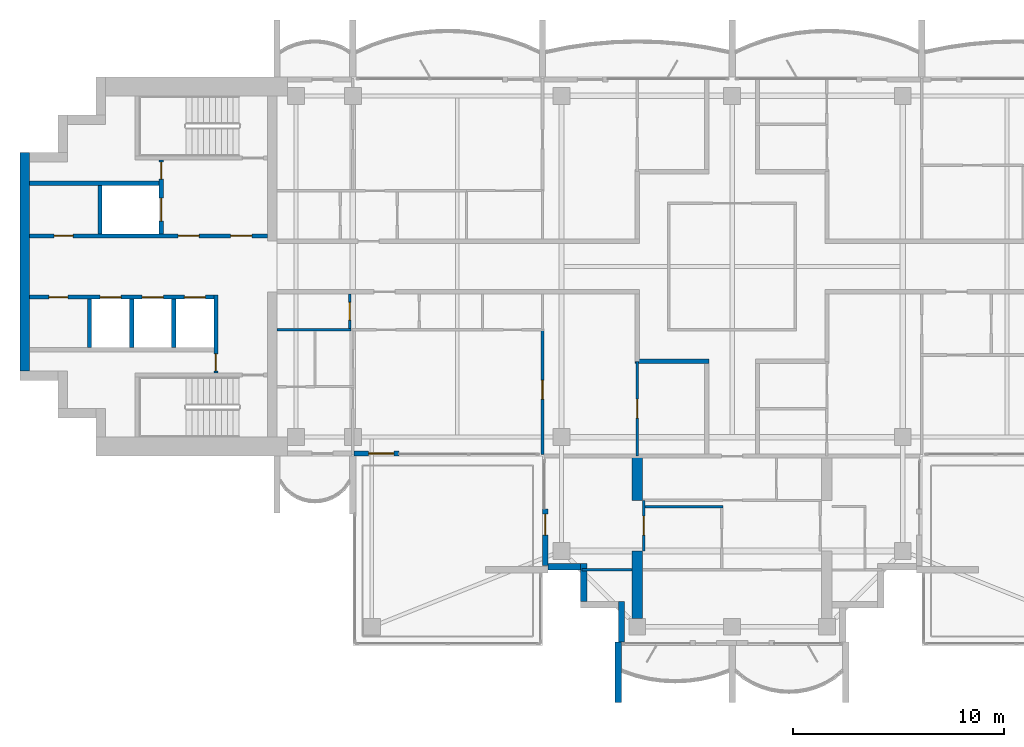
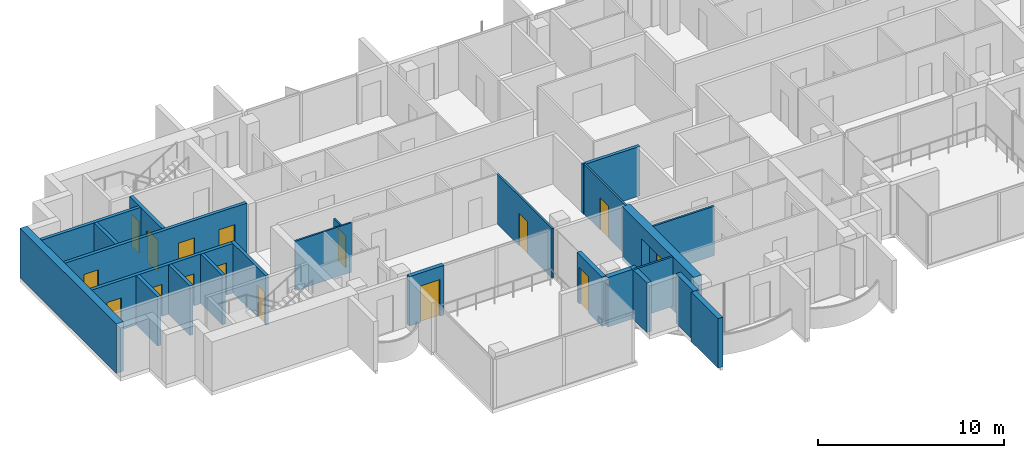
# One storey, part 7 of 16: 25 walls, 16 doors, 16 openings.
"""IFC4 building model written with IfcOpenShell, lengths in metres."""

from ifc_helpers import new_model, si_unit, direction, frame, frame_2d, origin, place, context, subcontext, project, spatial, polyline, rectangle, outline, extrude, material, layer, layer_set, material_profile, profile_set, type_object, element, fill, save


model = new_model("IFC4")

# Units and contexts
model_context = context("Model", 3, precision=1e-05, world=origin(), true_north=direction((0.0, 1.0)))
body_context = subcontext(model_context, "Body", "Model", "MODEL_VIEW")
ifc_project = project(units=[si_unit("LENGTHUNIT", "METRE"), si_unit("AREAUNIT", "SQUARE_METRE"), si_unit("VOLUMEUNIT", "CUBIC_METRE"), si_unit("PLANEANGLEUNIT", "RADIAN"), si_unit("MASSUNIT", "GRAM", prefix="KILO")], contexts=[model_context])

# Site, building, storey
site_placement = place(None, origin())
site = spatial("IfcSite", under=ifc_project, at=site_placement, CompositionType="ELEMENT")
building_placement = place(site_placement, origin())
building = spatial("IfcBuilding", under=site, at=building_placement, Name="Perihelion Cross Residences", CompositionType="ELEMENT")
storey_placement = place(building_placement, frame((0.0, 0.0, 267.5)))
storey = spatial("IfcBuildingStorey", under=building, at=storey_placement, Name="L68", CompositionType="ELEMENT", Elevation=267.5)

# Wall
ifc_material_1 = material(Name="Plasterboard partition")
ifc_layer_1 = layer(ifc_material_1, 0.199951171875)
ifc_layer_set_1 = layer_set([ifc_layer_1], Name="Apartment separation wall 200")
wall_type_1 = type_object("IfcWallType", Name="Apartment separation wall 200", PredefinedType="PARTITIONING", material=ifc_layer_set_1)
wall_1_placement = place(storey_placement, frame((-1.10009765625, -4.5, 0.0), z_axis=(0.0, 0.0, 1.0), x_axis=(-1.0, 0.0, 0.0)))
element("IfcWall", 1, at=wall_1_placement, inside=storey, type_object=wall_type_1, Name="Partition L68 W020", PredefinedType="PARTITIONING", context=body_context, shape_type="SweptSolid", body=[
    extrude(rectangle(XDim=3.5, YDim=0.199951171875, at=frame_2d((1.75, 0.0))), origin(), (0.0, 0.0, 1.0), 3.25),
])

# Wall, opening, door
ifc_material_2 = material(Name="Concrete C30/37, bronze-clad", Category="concrete")
ifc_layer_2 = layer(ifc_material_2, 0.25)
ifc_layer_set_2 = layer_set([ifc_layer_2], Name="Bronze-clad pier wall 250")
wall_type_2 = type_object("IfcWallType", Name="Bronze-clad pier wall 250", PredefinedType="SOLIDWALL", material=ifc_layer_set_2)
wall_2_placement = place(storey_placement, frame((-17.93994140625, -8.875, 0.0), z_axis=(0.0, 0.0, 1.0), x_axis=(1.0, 0.0, 0.0)))
wall_2 = element("IfcWall", 2, at=wall_2_placement, inside=storey, type_object=wall_type_2, Name="Wall FW1 L68 west side south bay 2 pier", PredefinedType="SOLIDWALL", context=body_context, shape_type="SweptSolid", body=[
    extrude(rectangle(XDim=2.139892578125, YDim=0.25, at=frame_2d((1.06982421875, 0.0))), origin(), (0.0, 0.0, 1.0), 3.25),
])
opening_1_placement = place(wall_2_placement, frame((0.68994140625, 0.0, 0.0)))
opening_1 = element("IfcOpeningElement", 3, at=opening_1_placement, cuts=wall_2, Name="Opening L68.E08", PredefinedType="OPENING", context=body_context, shape_type="SweptSolid", body=[
    extrude(rectangle(XDim=1.199951171875, YDim=2.39990234375, at=frame_2d((0.60009765625, 1.199951171875))), frame((0.0, 0.135009765625, 0.0), z_axis=(0.0, -1.0, 0.0), x_axis=(1.0, 0.0, 0.0)), (0.0, 0.0, 1.0), 0.27001953125),
])
ifc_material_3 = material(Name="Bronze anodised aluminium, glazed", Category="aluminium")
door_type_1 = type_object("IfcDoorType", Name="Balcony door 1200 x 2400", OperationType="NOTDEFINED", PredefinedType="DOOR", material=ifc_material_3)
door_1_placement = place(opening_1_placement, origin())
door_1 = element("IfcDoor", 4, at=door_1_placement, inside=storey, type_object=door_type_1, Name="Door L68.E08 west side south bay 2", OperationType="SINGLE_SWING_RIGHT", OverallHeight=2.39990234375, OverallWidth=1.199951171875, PredefinedType="DOOR", context=body_context, shape_type="SweptSolid", body=[
    extrude(rectangle(XDim=1.199951171875, YDim=2.39990234375, at=frame_2d((0.60009765625, 1.199951171875))), frame((0.0, 0.02490234375, 0.0), z_axis=(0.0, -1.0, 0.0), x_axis=(1.0, 0.0, 0.0)), (0.0, 0.0, 1.0), 0.050048828125),
])
fill(opening_1, door_1)

wall_3_placement = place(storey_placement, frame((-8.875, -11.5, 0.0), z_axis=(0.0, 0.0, 1.0), x_axis=(0.0, -1.0, 0.0)))
wall_3 = element("IfcWall", 5, at=wall_3_placement, inside=storey, type_object=wall_type_2, Name="Wall FW1 L68 south side west bay 1 pier", PredefinedType="SOLIDWALL", context=body_context, shape_type="SweptSolid", body=[
    extrude(rectangle(XDim=2.699951171875, YDim=0.25, at=frame_2d((1.35009765625, 0.0))), origin(), (0.0, 0.0, 1.0), 3.25),
])
opening_2_placement = place(wall_3_placement, frame((0.25, 0.0, 0.0)))
opening_2 = element("IfcOpeningElement", 6, at=opening_2_placement, cuts=wall_3, Name="Opening L68.E09", PredefinedType="OPENING", context=body_context, shape_type="SweptSolid", body=[
    extrude(rectangle(XDim=1.0, YDim=2.39990234375, at=frame_2d((0.5, 1.199951171875))), frame((0.0, 0.135009765625, 0.0), z_axis=(0.0, -1.0, 0.0), x_axis=(1.0, 0.0, 0.0)), (0.0, 0.0, 1.0), 0.27001953125),
])
ifc_material_4 = material(Name="Bronze anodised aluminium, glazed", Category="aluminium")
door_type_2 = type_object("IfcDoorType", Name="Balcony door 1000 x 2400", OperationType="NOTDEFINED", PredefinedType="DOOR", material=ifc_material_4)
door_2_placement = place(opening_2_placement, origin())
door_2 = element("IfcDoor", 7, at=door_2_placement, inside=storey, type_object=door_type_2, Name="Door L68.E09 south side west bay 1", OperationType="SINGLE_SWING_LEFT", OverallHeight=2.39990234375, OverallWidth=1.0, PredefinedType="DOOR", context=body_context, shape_type="SweptSolid", body=[
    extrude(rectangle(XDim=1.0, YDim=2.39990234375, at=frame_2d((0.5, 1.199951171875))), frame((0.0, 0.02490234375, 0.0), z_axis=(0.0, -1.0, 0.0), x_axis=(1.0, 0.0, 0.0)), (0.0, 0.0, 1.0), 0.050048828125),
])
fill(opening_2, door_2)

# Walls
ifc_material_5 = material(Name="Concrete C30/37, bronze-clad", Category="concrete")
ifc_layer_3 = layer(ifc_material_5, 0.300048828125)
ifc_layer_set_3 = layer_set([ifc_layer_3], Name="Bronze-clad serration wall 300")
wall_type_3 = type_object("IfcWallType", Name="Bronze-clad serration wall 300", PredefinedType="SOLIDWALL", material=ifc_layer_set_3)
wall_4_placement = place(storey_placement, frame((-8.75, -14.25, 0.0), z_axis=(0.0, 0.0, 1.0), x_axis=(1.0, 0.0, 0.0)))
element("IfcWall", 8, at=wall_4_placement, inside=storey, type_object=wall_type_3, Name="Wall SR1 L68 south corner south-west 1", PredefinedType="SOLIDWALL", context=body_context, shape_type="SweptSolid", body=[
    extrude(rectangle(XDim=1.550048828125, YDim=0.300048828125, at=frame_2d((0.77490234375, 0.0))), origin(), (0.0, 0.0, 1.0), 3.25),
])
wall_5_placement = place(storey_placement, frame((-7.050048828125, -14.10009765625, 0.0), z_axis=(0.0, 0.0, 1.0), x_axis=(0.0, -1.0, 0.0)))
element("IfcWall", 9, at=wall_5_placement, inside=storey, type_object=wall_type_3, Name="Wall SR1 L68 south corner south-west 2", PredefinedType="SOLIDWALL", context=body_context, shape_type="SweptSolid", body=[
    extrude(rectangle(XDim=1.7998046875, YDim=0.300048828125, at=frame_2d((0.89990234375, 0.0))), origin(), (0.0, 0.0, 1.0), 3.25),
])
wall_6_placement = place(storey_placement, frame((-5.25, -15.89990234375, 0.0), z_axis=(0.0, 0.0, 1.0), x_axis=(0.0, -1.0, 0.0)))
element("IfcWall", 10, at=wall_6_placement, inside=storey, type_object=wall_type_3, Name="Wall SR1 L68 south corner south-west 4", PredefinedType="SOLIDWALL", context=body_context, shape_type="SweptSolid", body=[
    extrude(rectangle(XDim=1.920166015625, YDim=0.300048828125, at=frame_2d((0.9599609375, 0.0))), origin(), (0.0, 0.0, 1.0), 3.25),
])
ifc_material_6 = material(Name="Concrete C60/75", Category="concrete")
ifc_layer_4 = layer(ifc_material_6, 0.449951171875)
ifc_layer_set_4 = layer_set([ifc_layer_4], Name="Core wall, outer 450")
wall_type_4 = type_object("IfcWallType", Name="Core wall, outer 450", PredefinedType="SHEAR", material=ifc_layer_set_4)
wall_7_placement = place(storey_placement, frame((-33.574951171875, -4.949951171875, 0.0), z_axis=(0.0, 0.0, 1.0), x_axis=(0.0, 1.0, 0.0)))
element("IfcWall", 11, at=wall_7_placement, inside=storey, type_object=wall_type_4, Name="West core core wall, outer", PredefinedType="SHEAR", context=body_context, shape_type="SweptSolid", body=[
    extrude(rectangle(XDim=10.349853515625, YDim=0.449951171875, at=frame_2d((5.1748046875, 0.0))), origin(), (0.0, 0.0, 1.0), 3.25),
])

# Wall, opening, door
ifc_material_7 = material(Name="Plasterboard partition")
ifc_layer_5 = layer(ifc_material_7, 0.1201171875)
ifc_layer_set_5 = layer_set([ifc_layer_5], Name="Infill panel 120")
wall_type_5 = type_object("IfcWallType", Name="Infill panel 120", PredefinedType="PARTITIONING", material=ifc_layer_set_5)
wall_8_placement = place(storey_placement, frame((-4.18994140625, -11.10009765625, 0.0), z_axis=(0.0, 0.0, 1.0), x_axis=(0.0, -1.0, 0.0)))
wall_8 = element("IfcWall", 12, at=wall_8_placement, inside=storey, type_object=wall_type_5, Name="Partition L68 WI02", PredefinedType="PARTITIONING", context=body_context, shape_type="SweptSolid", body=[
    extrude(rectangle(XDim=2.39990234375, YDim=0.1201171875, at=frame_2d((1.199951171875, 0.0))), origin(), (0.0, 0.0, 1.0), 2.39990234375),
])
opening_3_placement = place(wall_8_placement, frame((0.75, 0.0, 0.0)))
opening_3 = element("IfcOpeningElement", 13, at=opening_3_placement, cuts=wall_8, Name="Opening L68.A45", PredefinedType="OPENING", context=body_context, shape_type="SweptSolid", body=[
    extrude(rectangle(XDim=0.89990234375, YDim=2.10009765625, at=frame_2d((0.449951171875, 1.050048828125))), frame((0.0, 0.070068359375, 0.0), z_axis=(0.0, -1.0, 0.0), x_axis=(1.0, 0.0, 0.0)), (0.0, 0.0, 1.0), 0.14013671875),
])
ifc_material_8 = material(Name="Timber door leaf", Category="wood")
door_type_3 = type_object("IfcDoorType", Name="Interior room door 900 x 2100", OperationType="SINGLE_SWING_LEFT", PredefinedType="DOOR", material=ifc_material_8)
door_3_placement = place(opening_3_placement, origin())
door_3 = element("IfcDoor", 14, at=door_3_placement, inside=storey, type_object=door_type_3, Name="Door L68.A45", OperationType="SINGLE_SWING_LEFT", OverallHeight=2.10009765625, OverallWidth=0.89990234375, PredefinedType="DOOR", context=body_context, shape_type="SweptSolid", body=[
    extrude(rectangle(XDim=0.89990234375, YDim=2.10009765625, at=frame_2d((0.449951171875, 1.050048828125))), frame((0.0, 0.02490234375, 0.0), z_axis=(0.0, -1.0, 0.0), x_axis=(1.0, 0.0, 0.0)), (0.0, 0.0, 1.0), 0.050048828125),
])
fill(opening_3, door_3)

ifc_material_9 = material(Name="Concrete C50/60", Category="concrete")
ifc_layer_6 = layer(ifc_material_9, 0.199951171875)
ifc_layer_set_6 = layer_set([ifc_layer_6], Name="Lobby wall 200")
wall_type_6 = type_object("IfcWallType", Name="Lobby wall 200", PredefinedType="SOLIDWALL", material=ifc_layer_set_6)
wall_9_placement = place(storey_placement, frame((-24.5, -5.050048828125, 0.0), z_axis=(0.0, 0.0, 1.0), x_axis=(0.0, 1.0, 0.0)))
wall_9 = element("IfcWall", 15, at=wall_9_placement, inside=storey, type_object=wall_type_6, Name="West core lobby wall", PredefinedType="SOLIDWALL", context=body_context, shape_type="SweptSolid", body=[
    extrude(rectangle(XDim=3.699951171875, YDim=0.199951171875, at=frame_2d((1.85009765625, 0.0))), origin(), (0.0, 0.0, 1.0), 3.25),
])
opening_4_placement = place(wall_9_placement, frame((0.10009765625, 0.0, 0.0)))
opening_4 = element("IfcOpeningElement", 16, at=opening_4_placement, cuts=wall_9, Name="Opening L68.C20", PredefinedType="OPENING", context=body_context, shape_type="SweptSolid", body=[
    extrude(rectangle(XDim=0.800048828125, YDim=2.10009765625, at=frame_2d((0.39990234375, 1.050048828125))), frame((0.0, 0.10986328125, 0.0), z_axis=(0.0, -1.0, 0.0), x_axis=(1.0, 0.0, 0.0)), (0.0, 0.0, 1.0), 0.219970703125),
])
ifc_material_10 = material(Name="Steel, powder coated", Category="steel")
door_type_4 = type_object("IfcDoorType", Name="Riser door 800", OperationType="SINGLE_SWING_LEFT", PredefinedType="DOOR", material=ifc_material_10)
door_4_placement = place(opening_4_placement, origin())
door_4 = element("IfcDoor", 17, at=door_4_placement, inside=storey, type_object=door_type_4, Name="West core riser door", OperationType="SINGLE_SWING_LEFT", OverallHeight=2.10009765625, OverallWidth=0.800048828125, PredefinedType="DOOR", context=body_context, shape_type="SweptSolid", body=[
    extrude(rectangle(XDim=0.800048828125, YDim=2.10009765625, at=frame_2d((0.39990234375, 1.050048828125))), frame((0.0, 0.02490234375, 0.0), z_axis=(0.0, -1.0, 0.0), x_axis=(1.0, 0.0, 0.0)), (0.0, 0.0, 1.0), 0.050048828125),
])
fill(opening_4, door_4)

ifc_material_11 = material(Name="Plasterboard partition")
ifc_layer_7 = layer(ifc_material_11, 0.1201171875)
ifc_layer_set_7 = layer_set([ifc_layer_7], Name="Partition wall 120")
wall_type_7 = type_object("IfcWallType", Name="Partition wall 120", PredefinedType="PARTITIONING", material=ifc_layer_set_7)
wall_10_placement = place(storey_placement, frame((-9.0, -3.0, 0.0), z_axis=(0.0, 0.0, 1.0), x_axis=(0.0, -1.0, 0.0)))
wall_10 = element("IfcWall", 18, at=wall_10_placement, inside=storey, type_object=wall_type_7, Name="Partition L68 W062", PredefinedType="PARTITIONING", context=body_context, shape_type="SweptSolid", body=[
    extrude(rectangle(XDim=5.919921875, YDim=0.1201171875, at=frame_2d((2.9599609375, 0.0))), origin(), (0.0, 0.0, 1.0), 3.25),
])
opening_5_placement = place(wall_10_placement, frame((2.39990234375, 0.0, 0.0)))
opening_5 = element("IfcOpeningElement", 19, at=opening_5_placement, cuts=wall_10, Name="Opening L68.A32", PredefinedType="OPENING", context=body_context, shape_type="SweptSolid", body=[
    extrude(rectangle(XDim=0.89990234375, YDim=2.10009765625, at=frame_2d((0.449951171875, 1.050048828125))), frame((0.0, 0.070068359375, 0.0), z_axis=(0.0, -1.0, 0.0), x_axis=(1.0, 0.0, 0.0)), (0.0, 0.0, 1.0), 0.14013671875),
])
door_5_placement = place(opening_5_placement, origin())
door_5 = element("IfcDoor", 20, at=door_5_placement, inside=storey, type_object=door_type_3, Name="Door L68.A32", OperationType="SINGLE_SWING_RIGHT", OverallHeight=2.10009765625, OverallWidth=0.89990234375, PredefinedType="DOOR", context=body_context, shape_type="SweptSolid", body=[
    extrude(rectangle(XDim=0.89990234375, YDim=2.10009765625, at=frame_2d((0.449951171875, 1.050048828125))), frame((0.0, 0.02490234375, 0.0), z_axis=(0.0, -1.0, 0.0), x_axis=(1.0, 0.0, 0.0)), (0.0, 0.0, 1.0), 0.050048828125),
])
fill(opening_5, door_5)

wall_11_placement = place(storey_placement, frame((-4.5, -4.5, 0.0), z_axis=(0.0, 0.0, 1.0), x_axis=(0.0, -1.0, 0.0)))
wall_11 = element("IfcWall", 21, at=wall_11_placement, inside=storey, type_object=wall_type_7, Name="Partition L68 W066", PredefinedType="PARTITIONING", context=body_context, shape_type="SweptSolid", body=[
    extrude(rectangle(XDim=4.5, YDim=0.1201171875, at=frame_2d((2.25, 0.0))), origin(), (0.0, 0.0, 1.0), 3.25),
])
opening_6_placement = place(wall_11_placement, frame((1.800048828125, 0.0, 0.0)))
opening_6 = element("IfcOpeningElement", 22, at=opening_6_placement, cuts=wall_11, Name="Opening L68.A28", PredefinedType="OPENING", context=body_context, shape_type="SweptSolid", body=[
    extrude(rectangle(XDim=0.89990234375, YDim=2.10009765625, at=frame_2d((0.449951171875, 1.050048828125))), frame((0.0, 0.070068359375, 0.0), z_axis=(0.0, -1.0, 0.0), x_axis=(1.0, 0.0, 0.0)), (0.0, 0.0, 1.0), 0.14013671875),
])
door_6_placement = place(opening_6_placement, origin())
door_6 = element("IfcDoor", 23, at=door_6_placement, inside=storey, type_object=door_type_3, Name="Door L68.A28", OperationType="SINGLE_SWING_RIGHT", OverallHeight=2.10009765625, OverallWidth=0.89990234375, PredefinedType="DOOR", context=body_context, shape_type="SweptSolid", body=[
    extrude(rectangle(XDim=0.89990234375, YDim=2.10009765625, at=frame_2d((0.449951171875, 1.050048828125))), frame((0.0, 0.02490234375, 0.0), z_axis=(0.0, -1.0, 0.0), x_axis=(1.0, 0.0, 0.0)), (0.0, 0.0, 1.0), 0.050048828125),
])
fill(opening_6, door_6)

# Walls
wall_12_placement = place(storey_placement, frame((-0.43994140625, -11.39990234375, 0.0), z_axis=(0.0, 0.0, 1.0), x_axis=(-1.0, 0.0, 0.0)))
element("IfcWall", 24, at=wall_12_placement, inside=storey, type_object=wall_type_7, Name="Partition L68 W071", PredefinedType="PARTITIONING", context=body_context, shape_type="SweptSolid", body=[
    extrude(rectangle(XDim=3.81005859375, YDim=0.1201171875, at=frame_2d((1.905029296875, 0.0))), origin(), (0.0, 0.0, 1.0), 3.25),
])
wall_13_placement = place(storey_placement, frame((-4.75, -14.39990234375, 0.0), z_axis=(0.0, 0.0, 1.0), x_axis=(-1.0, 0.0, 0.0)))
element("IfcWall", 25, at=wall_13_placement, inside=storey, type_object=wall_type_7, Name="Partition L68 W077", PredefinedType="PARTITIONING", context=body_context, shape_type="SweptSolid", body=[
    extrude(rectangle(XDim=2.3701171875, YDim=0.1201171875, at=frame_2d((1.18505859375, 0.0))), origin(), (0.0, 0.0, 1.0), 3.25),
])
ifc_material_12 = material(Name="Precast concrete C50/60", Category="concrete")
ifc_layer_8 = layer(ifc_material_12, 0.300048828125)
ifc_layer_set_8 = layer_set([ifc_layer_8], Name="Precast concrete C50/60 blade wall 300")
wall_type_8 = type_object("IfcWallType", Name="Precast concrete C50/60 blade wall 300", PredefinedType="SOLIDWALL", material=ifc_layer_set_8)
wall_14_placement = place(storey_placement, frame((-5.39990234375, -17.820068359375, 0.0), z_axis=(0.0, 0.0, 1.0), x_axis=(0.0, -1.0, 0.0)))
element("IfcWall", 26, at=wall_14_placement, inside=storey, type_object=wall_type_8, Name="Wall BL1 L68 no. 5", PredefinedType="SOLIDWALL", context=body_context, shape_type="SweptSolid", body=[
    extrude(rectangle(XDim=2.8798828125, YDim=0.300048828125, at=frame_2d((1.43994140625, 0.0))), origin(), (0.0, 0.0, 1.0), 3.25),
])

# Wall, openings, doors
ifc_material_13 = material(Name="Concrete C50/60", Category="concrete")
ifc_layer_9 = layer(ifc_material_13, 0.199951171875)
ifc_layer_set_9 = layer_set([ifc_layer_9], Name="Shaft wall 200")
wall_type_9 = type_object("IfcWallType", Name="Shaft wall 200", PredefinedType="SOLIDWALL", material=ifc_layer_set_9)
wall_15_placement = place(storey_placement, frame((-33.35009765625, 1.449951171875, 0.0), z_axis=(0.0, 0.0, 1.0), x_axis=(1.0, 0.0, 0.0)))
wall_15 = element("IfcWall", 27, at=wall_15_placement, inside=storey, type_object=wall_type_9, Name="West core shaft wall", PredefinedType="SOLIDWALL", context=body_context, shape_type="SweptSolid", body=[
    extrude(rectangle(XDim=11.300048828125, YDim=0.199951171875, at=frame_2d((5.64990234375, 0.0))), origin(), (0.0, 0.0, 1.0), 3.25),
])
opening_7_placement = place(wall_15_placement, frame((9.550048828125, 0.0, 0.0)))
opening_7 = element("IfcOpeningElement", 28, at=opening_7_placement, cuts=wall_15, Name="Opening L68.C19", PredefinedType="OPENING", context=body_context, shape_type="SweptSolid", body=[
    extrude(rectangle(XDim=1.0, YDim=2.10009765625, at=frame_2d((0.5, 1.050048828125))), frame((0.0, 0.10986328125, 0.0), z_axis=(0.0, -1.0, 0.0), x_axis=(1.0, 0.0, 0.0)), (0.0, 0.0, 1.0), 0.219970703125),
])
opening_8_placement = place(wall_15_placement, frame((7.050048828125, 0.0, 0.0)))
opening_8 = element("IfcOpeningElement", 29, at=opening_8_placement, cuts=wall_15, Name="Opening L68.C21", PredefinedType="OPENING", context=body_context, shape_type="SweptSolid", body=[
    extrude(rectangle(XDim=1.0, YDim=2.10009765625, at=frame_2d((0.5, 1.050048828125))), frame((0.0, 0.10986328125, 0.0), z_axis=(0.0, -1.0, 0.0), x_axis=(1.0, 0.0, 0.0)), (0.0, 0.0, 1.0), 0.219970703125),
])
opening_9_placement = place(wall_15_placement, frame((1.175048828125, 0.0, 0.0)))
opening_9 = element("IfcOpeningElement", 30, at=opening_9_placement, cuts=wall_15, Name="Opening L68.C23", PredefinedType="OPENING", context=body_context, shape_type="SweptSolid", body=[
    extrude(rectangle(XDim=0.89990234375, YDim=2.10009765625, at=frame_2d((0.449951171875, 1.050048828125))), frame((0.0, 0.10986328125, 0.0), z_axis=(0.0, -1.0, 0.0), x_axis=(1.0, 0.0, 0.0)), (0.0, 0.0, 1.0), 0.219970703125),
])
ifc_material_14 = material(Name="Steel, powder coated", Category="steel")
door_type_5 = type_object("IfcDoorType", Name="Lobby door 1000", OperationType="SINGLE_SWING_LEFT", PredefinedType="DOOR", material=ifc_material_14)
door_7_placement = place(opening_7_placement, origin())
door_7 = element("IfcDoor", 31, at=door_7_placement, inside=storey, type_object=door_type_5, Name="West core firefighting lobby door", OperationType="SINGLE_SWING_LEFT", OverallHeight=2.10009765625, OverallWidth=1.0, PredefinedType="DOOR", context=body_context, shape_type="SweptSolid", body=[
    extrude(rectangle(XDim=1.0, YDim=2.10009765625, at=frame_2d((0.5, 1.050048828125))), frame((0.0, 0.02490234375, 0.0), z_axis=(0.0, -1.0, 0.0), x_axis=(1.0, 0.0, 0.0)), (0.0, 0.0, 1.0), 0.050048828125),
])
fill(opening_7, door_7)
door_8_placement = place(opening_8_placement, origin())
door_8 = element("IfcDoor", 32, at=door_8_placement, inside=storey, type_object=door_type_5, Name="West core firefighting lobby door", OperationType="SINGLE_SWING_LEFT", OverallHeight=2.10009765625, OverallWidth=1.0, PredefinedType="DOOR", context=body_context, shape_type="SweptSolid", body=[
    extrude(rectangle(XDim=1.0, YDim=2.10009765625, at=frame_2d((0.5, 1.050048828125))), frame((0.0, 0.02490234375, 0.0), z_axis=(0.0, -1.0, 0.0), x_axis=(1.0, 0.0, 0.0)), (0.0, 0.0, 1.0), 0.050048828125),
])
fill(opening_8, door_8)
ifc_material_15 = material(Name="Steel, powder coated", Category="steel")
door_type_6 = type_object("IfcDoorType", Name="Service room door 900", OperationType="SINGLE_SWING_LEFT", PredefinedType="DOOR", material=ifc_material_15)
door_9_placement = place(opening_9_placement, origin())
door_9 = element("IfcDoor", 33, at=door_9_placement, inside=storey, type_object=door_type_6, Name="West core service room door", OperationType="SINGLE_SWING_LEFT", OverallHeight=2.10009765625, OverallWidth=0.89990234375, PredefinedType="DOOR", context=body_context, shape_type="SweptSolid", body=[
    extrude(rectangle(XDim=0.89990234375, YDim=2.10009765625, at=frame_2d((0.449951171875, 1.050048828125))), frame((0.0, 0.02490234375, 0.0), z_axis=(0.0, -1.0, 0.0), x_axis=(1.0, 0.0, 0.0)), (0.0, 0.0, 1.0), 0.050048828125),
])
fill(opening_9, door_9)

wall_16_placement = place(storey_placement, frame((-33.35009765625, -1.449951171875, 0.0), z_axis=(0.0, 0.0, 1.0), x_axis=(1.0, 0.0, 0.0)))
wall_16 = element("IfcWall", 34, at=wall_16_placement, inside=storey, type_object=wall_type_9, Name="West core shaft wall", PredefinedType="SOLIDWALL", context=body_context, shape_type="SweptSolid", body=[
    extrude(rectangle(XDim=8.75, YDim=0.199951171875, at=frame_2d((4.375, 0.0))), origin(), (0.0, 0.0, 1.0), 3.25),
])
opening_10_placement = place(wall_16_placement, frame((7.35009765625, 0.0, 0.0)))
opening_10 = element("IfcOpeningElement", 35, at=opening_10_placement, cuts=wall_16, Name="Opening L68.C13", PredefinedType="OPENING", context=body_context, shape_type="SweptSolid", body=[
    extrude(rectangle(XDim=1.0, YDim=2.10009765625, at=frame_2d((0.5, 1.050048828125))), frame((0.0, 0.10986328125, 0.0), z_axis=(0.0, -1.0, 0.0), x_axis=(1.0, 0.0, 0.0)), (0.0, 0.0, 1.0), 0.219970703125),
])
opening_11_placement = place(wall_16_placement, frame((5.35009765625, 0.0, 0.0)))
opening_11 = element("IfcOpeningElement", 36, at=opening_11_placement, cuts=wall_16, Name="Opening L68.C15", PredefinedType="OPENING", context=body_context, shape_type="SweptSolid", body=[
    extrude(rectangle(XDim=1.0, YDim=2.10009765625, at=frame_2d((0.5, 1.050048828125))), frame((0.0, 0.10986328125, 0.0), z_axis=(0.0, -1.0, 0.0), x_axis=(1.0, 0.0, 0.0)), (0.0, 0.0, 1.0), 0.219970703125),
])
opening_12_placement = place(wall_16_placement, frame((3.35009765625, 0.0, 0.0)))
opening_12 = element("IfcOpeningElement", 37, at=opening_12_placement, cuts=wall_16, Name="Opening L68.C16", PredefinedType="OPENING", context=body_context, shape_type="SweptSolid", body=[
    extrude(rectangle(XDim=1.0, YDim=2.10009765625, at=frame_2d((0.5, 1.050048828125))), frame((0.0, 0.10986328125, 0.0), z_axis=(0.0, -1.0, 0.0), x_axis=(1.0, 0.0, 0.0)), (0.0, 0.0, 1.0), 0.219970703125),
])
opening_13_placement = place(wall_16_placement, frame((0.925048828125, 0.0, 0.0)))
opening_13 = element("IfcOpeningElement", 38, at=opening_13_placement, cuts=wall_16, Name="Opening L68.C24", PredefinedType="OPENING", context=body_context, shape_type="SweptSolid", body=[
    extrude(rectangle(XDim=0.89990234375, YDim=2.10009765625, at=frame_2d((0.449951171875, 1.050048828125))), frame((0.0, 0.10986328125, 0.0), z_axis=(0.0, -1.0, 0.0), x_axis=(1.0, 0.0, 0.0)), (0.0, 0.0, 1.0), 0.219970703125),
])
ifc_material_16 = material(Name="Stainless steel", Category="steel")
door_type_7 = type_object("IfcDoorType", Name="Landing door 1000", OperationType="DOUBLE_DOOR_SLIDING", PredefinedType="DOOR", material=ifc_material_16)
door_10_placement = place(opening_10_placement, origin())
door_10 = element("IfcDoor", 39, at=door_10_placement, inside=storey, type_object=door_type_7, Name="Landing door, West core high-rise lift 1", OperationType="DOUBLE_DOOR_SLIDING", OverallHeight=2.10009765625, OverallWidth=1.0, PredefinedType="DOOR", context=body_context, shape_type="SweptSolid", body=[
    extrude(rectangle(XDim=1.0, YDim=2.10009765625, at=frame_2d((0.5, 1.050048828125))), frame((0.0, 0.02490234375, 0.0), z_axis=(0.0, -1.0, 0.0), x_axis=(1.0, 0.0, 0.0)), (0.0, 0.0, 1.0), 0.050048828125),
])
fill(opening_10, door_10)
door_11_placement = place(opening_11_placement, origin())
door_11 = element("IfcDoor", 40, at=door_11_placement, inside=storey, type_object=door_type_7, Name="Landing door, West core high-rise lift 2", OperationType="DOUBLE_DOOR_SLIDING", OverallHeight=2.10009765625, OverallWidth=1.0, PredefinedType="DOOR", context=body_context, shape_type="SweptSolid", body=[
    extrude(rectangle(XDim=1.0, YDim=2.10009765625, at=frame_2d((0.5, 1.050048828125))), frame((0.0, 0.02490234375, 0.0), z_axis=(0.0, -1.0, 0.0), x_axis=(1.0, 0.0, 0.0)), (0.0, 0.0, 1.0), 0.050048828125),
])
fill(opening_11, door_11)
door_12_placement = place(opening_12_placement, origin())
door_12 = element("IfcDoor", 41, at=door_12_placement, inside=storey, type_object=door_type_7, Name="Landing door, West core high-rise lift 3", OperationType="DOUBLE_DOOR_SLIDING", OverallHeight=2.10009765625, OverallWidth=1.0, PredefinedType="DOOR", context=body_context, shape_type="SweptSolid", body=[
    extrude(rectangle(XDim=1.0, YDim=2.10009765625, at=frame_2d((0.5, 1.050048828125))), frame((0.0, 0.02490234375, 0.0), z_axis=(0.0, -1.0, 0.0), x_axis=(1.0, 0.0, 0.0)), (0.0, 0.0, 1.0), 0.050048828125),
])
fill(opening_12, door_12)
door_13_placement = place(opening_13_placement, origin())
door_13 = element("IfcDoor", 42, at=door_13_placement, inside=storey, type_object=door_type_6, Name="West core service room door", OperationType="SINGLE_SWING_LEFT", OverallHeight=2.10009765625, OverallWidth=0.89990234375, PredefinedType="DOOR", context=body_context, shape_type="SweptSolid", body=[
    extrude(rectangle(XDim=0.89990234375, YDim=2.10009765625, at=frame_2d((0.449951171875, 1.050048828125))), frame((0.0, 0.02490234375, 0.0), z_axis=(0.0, -1.0, 0.0), x_axis=(1.0, 0.0, 0.0)), (0.0, 0.0, 1.0), 0.050048828125),
])
fill(opening_13, door_13)

# Wall
wall_17_placement = place(storey_placement, frame((-33.35009765625, 3.949951171875, 0.0), z_axis=(0.0, 0.0, 1.0), x_axis=(1.0, 0.0, 0.0)))
element("IfcWall", 43, at=wall_17_placement, inside=storey, type_object=wall_type_9, Name="West core shaft wall", PredefinedType="SOLIDWALL", context=body_context, shape_type="SweptSolid", body=[
    extrude(rectangle(XDim=6.150146484375, YDim=0.199951171875, at=frame_2d((3.0751953125, 0.0))), origin(), (0.0, 0.0, 1.0), 3.25),
])

# Wall, openings, doors
wall_18_placement = place(storey_placement, frame((-27.10009765625, 1.550048828125, 0.0), z_axis=(0.0, 0.0, 1.0), x_axis=(0.0, 1.0, 0.0)))
wall_18 = element("IfcWall", 44, at=wall_18_placement, inside=storey, type_object=wall_type_9, Name="West core shaft wall", PredefinedType="SOLIDWALL", context=body_context, shape_type="SweptSolid", body=[
    extrude(rectangle(XDim=3.5, YDim=0.199951171875, at=frame_2d((1.75, 0.0))), origin(), (0.0, 0.0, 1.0), 3.25),
])
opening_14_placement = place(wall_18_placement, frame((0.60009765625, 0.0, 0.0)))
opening_14 = element("IfcOpeningElement", 45, at=opening_14_placement, cuts=wall_18, Name="Opening L68.C14", PredefinedType="OPENING", context=body_context, shape_type="SweptSolid", body=[
    extrude(rectangle(XDim=1.10009765625, YDim=2.10009765625, at=frame_2d((0.550048828125, 1.050048828125))), frame((0.0, 0.10986328125, 0.0), z_axis=(0.0, -1.0, 0.0), x_axis=(1.0, 0.0, 0.0)), (0.0, 0.0, 1.0), 0.219970703125),
])
opening_15_placement = place(wall_18_placement, frame((2.60009765625, 0.0, 0.0)))
opening_15 = element("IfcOpeningElement", 46, at=opening_15_placement, cuts=wall_18, Name="Opening L68.C22", PredefinedType="OPENING", context=body_context, shape_type="SweptSolid", body=[
    extrude(rectangle(XDim=0.800048828125, YDim=2.10009765625, at=frame_2d((0.39990234375, 1.050048828125))), frame((0.0, 0.10986328125, 0.0), z_axis=(0.0, -1.0, 0.0), x_axis=(1.0, 0.0, 0.0)), (0.0, 0.0, 1.0), 0.219970703125),
])
ifc_material_17 = material(Name="Stainless steel", Category="steel")
door_type_8 = type_object("IfcDoorType", Name="Landing door, firefighting lift 1100", OperationType="DOUBLE_DOOR_SLIDING", PredefinedType="DOOR", material=ifc_material_17)
door_14_placement = place(opening_14_placement, origin())
door_14 = element("IfcDoor", 47, at=door_14_placement, inside=storey, type_object=door_type_8, Name="Landing door, West core firefighting and service lift", OperationType="DOUBLE_DOOR_SLIDING", OverallHeight=2.10009765625, OverallWidth=1.10009765625, PredefinedType="DOOR", context=body_context, shape_type="SweptSolid", body=[
    extrude(rectangle(XDim=1.10009765625, YDim=2.10009765625, at=frame_2d((0.550048828125, 1.050048828125))), frame((0.0, 0.02490234375, 0.0), z_axis=(0.0, -1.0, 0.0), x_axis=(1.0, 0.0, 0.0)), (0.0, 0.0, 1.0), 0.050048828125),
])
fill(opening_14, door_14)
door_15_placement = place(opening_15_placement, origin())
door_15 = element("IfcDoor", 48, at=door_15_placement, inside=storey, type_object=door_type_4, Name="West core riser door", OperationType="SINGLE_SWING_LEFT", OverallHeight=2.10009765625, OverallWidth=0.800048828125, PredefinedType="DOOR", context=body_context, shape_type="SweptSolid", body=[
    extrude(rectangle(XDim=0.800048828125, YDim=2.10009765625, at=frame_2d((0.39990234375, 1.050048828125))), frame((0.0, 0.02490234375, 0.0), z_axis=(0.0, -1.0, 0.0), x_axis=(1.0, 0.0, 0.0)), (0.0, 0.0, 1.0), 0.050048828125),
])
fill(opening_15, door_15)

# Walls
for number, where, z_axis, x_axis, name in (
    (49, (-30.0, 1.550048828125, 0.0), (0.0, 0.0, 1.0), (0.0, 1.0, 0.0), "West core shaft wall"),
    (50, (-26.5, -3.85009765625, 0.0), (0.0, 0.0, 1.0), (0.0, 1.0, 0.0), "West core shaft wall"),
    (51, (-28.5, -3.85009765625, 0.0), (0.0, 0.0, 1.0), (0.0, 1.0, 0.0), "West core shaft wall"),
    (52, (-30.5, -3.85009765625, 0.0), (0.0, 0.0, 1.0), (0.0, 1.0, 0.0), "West core shaft wall"),
):
    element("IfcWall", number, at=place(storey_placement, frame(where, z_axis=z_axis, x_axis=x_axis)), inside=storey, type_object=wall_type_9, Name=name, PredefinedType="SOLIDWALL", context=body_context, shape_type="SweptSolid", body=[
        extrude(rectangle(XDim=2.300048828125, YDim=0.199951171875, at=frame_2d((1.14990234375, 0.0))), origin(), (0.0, 0.0, 1.0), 3.25),
    ])
ifc_material_18 = material(Name="Concrete C50/60", Category="concrete")
ifc_material_profile = material_profile(ifc_material_18, outline(polyline([(0.0, 0.0), (3.199951171875, 0.0), (3.199951171875, 2.64990234375), (5.60009765625, 2.64990234375), (5.60009765625, 0.0), (7.699951171875, 0.0), (7.699951171875, 3.5), (0.0, 3.5), (0.0, 0.0)])), Name="Tip spine wall")
ifc_profile_set = profile_set([ifc_material_profile], Name="Concrete C50/60")
wall_type_10 = type_object("IfcWallType", Name="Tip spine wall 500 with 1 door openings 7700 long 3500 high concrete C50/60", PredefinedType="SHEAR", material=ifc_profile_set)
wall_19_placement = place(storey_placement, frame((-4.75, -16.699951171875, -0.25), z_axis=(1.0, 0.0, 0.0), x_axis=(0.0, 1.0, 0.0)))
element("IfcWall", 53, at=wall_19_placement, inside=storey, type_object=wall_type_10, Name="Shear wall SW45 L68 south west", PredefinedType="SHEAR", context=body_context, shape_type="SweptSolid", body=[
    extrude(outline(polyline([(0.0, 0.0), (3.199951171875, 0.0), (3.199951171875, 2.64990234375), (5.60009765625, 2.64990234375), (5.60009765625, 0.0), (7.699951171875, 0.0), (7.699951171875, 3.5), (0.0, 3.5), (0.0, 0.0)])), origin(), (0.0, 0.0, 1.0), 0.5),
])

# Wall, opening, door
ifc_material_19 = material(Name="Plasterboard partition")
ifc_layer_10 = layer(ifc_material_19, 0.10009765625)
ifc_layer_set_10 = layer_set([ifc_layer_10], Name="Wet room wall 100")
wall_type_11 = type_object("IfcWallType", Name="Wet room wall 100", PredefinedType="PARTITIONING", material=ifc_layer_set_10)
wall_20_placement = place(storey_placement, frame((-18.14990234375, -2.949951171875, 0.0), z_axis=(0.0, 0.0, 1.0), x_axis=(0.0, 1.0, 0.0)))
wall_20 = element("IfcWall", 54, at=wall_20_placement, inside=storey, type_object=wall_type_11, Name="Partition L68 W058", PredefinedType="PARTITIONING", context=body_context, shape_type="SweptSolid", body=[
    extrude(rectangle(XDim=1.64990234375, YDim=0.10009765625, at=frame_2d((0.824951171875, 0.0))), origin(), (0.0, 0.0, 1.0), 2.49609375),
])
opening_16_placement = place(wall_20_placement, frame((0.39990234375, 0.0, 0.0)))
opening_16 = element("IfcOpeningElement", 55, at=opening_16_placement, cuts=wall_20, Name="Opening L68.A29", PredefinedType="OPENING", context=body_context, shape_type="SweptSolid", body=[
    extrude(rectangle(XDim=0.85009765625, YDim=2.10009765625, at=frame_2d((0.425048828125, 1.050048828125))), frame((0.0, 0.06005859375, 0.0), z_axis=(0.0, -1.0, 0.0), x_axis=(1.0, 0.0, 0.0)), (0.0, 0.0, 1.0), 0.1201171875),
])
ifc_material_20 = material(Name="Timber door leaf", Category="wood")
door_type_9 = type_object("IfcDoorType", Name="Interior bathroom door 850 x 2100", OperationType="SINGLE_SWING_LEFT", PredefinedType="DOOR", material=ifc_material_20)
door_16_placement = place(opening_16_placement, origin())
door_16 = element("IfcDoor", 56, at=door_16_placement, inside=storey, type_object=door_type_9, Name="Door L68.A29", OperationType="SINGLE_SWING_LEFT", OverallHeight=2.10009765625, OverallWidth=0.85009765625, PredefinedType="DOOR", context=body_context, shape_type="SweptSolid", body=[
    extrude(rectangle(XDim=0.85009765625, YDim=2.10009765625, at=frame_2d((0.425048828125, 1.050048828125))), frame((0.0, 0.02490234375, 0.0), z_axis=(0.0, -1.0, 0.0), x_axis=(1.0, 0.0, 0.0)), (0.0, 0.0, 1.0), 0.050048828125),
])
fill(opening_16, door_16)

# Wall
wall_21_placement = place(storey_placement, frame((-18.10009765625, -3.0, 0.0), z_axis=(0.0, 0.0, 1.0), x_axis=(-1.0, 0.0, 0.0)))
element("IfcWall", 57, at=wall_21_placement, inside=storey, type_object=wall_type_11, Name="Partition L68 W059", PredefinedType="PARTITIONING", context=body_context, shape_type="SweptSolid", body=[
    extrude(rectangle(XDim=3.5, YDim=0.10009765625, at=frame_2d((1.75, 0.0))), origin(), (0.0, 0.0, 1.0), 3.25),
])

save(model, "model.ifc")
